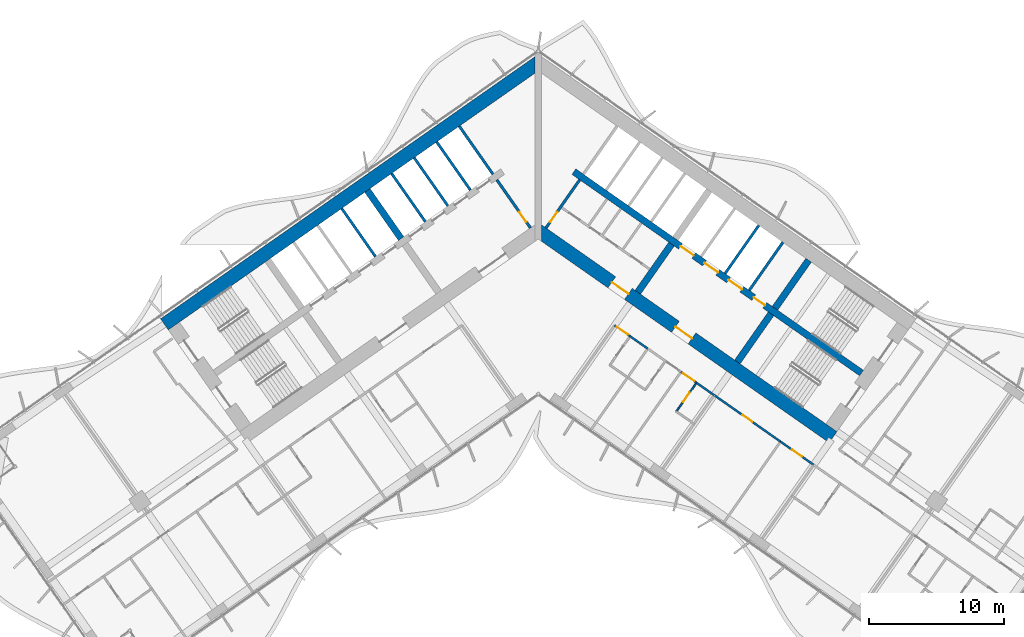
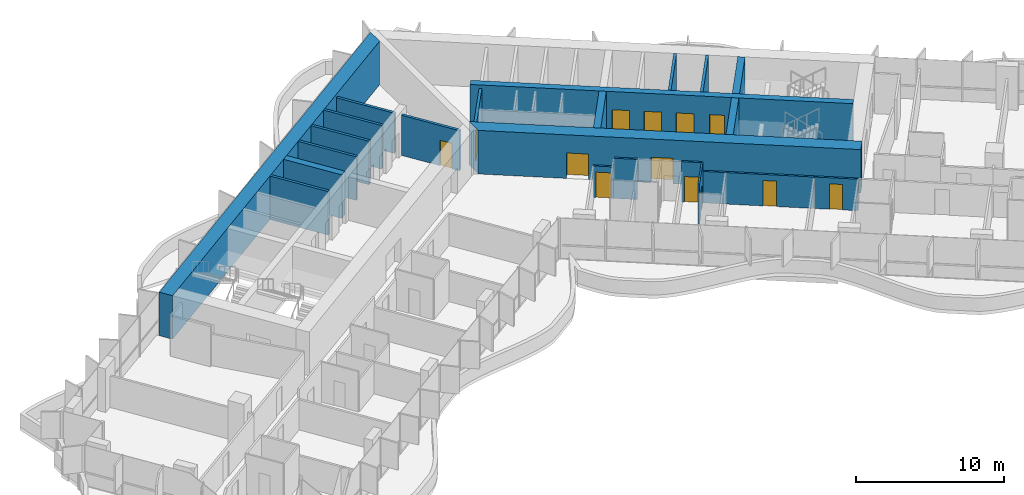
# One storey, part 14 of 23: 23 walls, 13 doors, 13 openings.
"""IFC4 building model written with IfcOpenShell, lengths in metres."""

from ifc_helpers import new_model, si_unit, direction, frame, frame_2d, origin, place, context, subcontext, project, spatial, polyline, rectangle, outline, extrude, material, layer, layer_set, type_object, element, fill, save


model = new_model("IFC4")

# Units and contexts
model_context = context("Model", 3, precision=1e-05, world=origin(), true_north=direction((0.0, 1.0)))
body_context = subcontext(model_context, "Body", "Model", "MODEL_VIEW")
ifc_project = project(units=[si_unit("LENGTHUNIT", "METRE"), si_unit("AREAUNIT", "SQUARE_METRE"), si_unit("VOLUMEUNIT", "CUBIC_METRE"), si_unit("PLANEANGLEUNIT", "RADIAN"), si_unit("MASSUNIT", "GRAM", prefix="KILO")], contexts=[model_context])

# Site, building, storey
site_placement = place(None, origin())
site = spatial("IfcSite", under=ifc_project, at=site_placement, CompositionType="ELEMENT")
building_placement = place(site_placement, origin())
building = spatial("IfcBuilding", under=site, at=building_placement, Name="Tel Ilan Convention Tower", CompositionType="ELEMENT")
storey_placement = place(building_placement, frame((0.0, 0.0, 112.10009765625)))
storey = spatial("IfcBuildingStorey", under=building, at=storey_placement, Name="L24", CompositionType="ELEMENT", Elevation=112.10009765625)

# Wall, opening, door
ifc_material_1 = material(Name="Concrete C30/37", Category="concrete")
ifc_layer_1 = layer(ifc_material_1, 0.199951171875)
ifc_layer_set_1 = layer_set([ifc_layer_1], Name="Core Service Room Wall 200 mm C30/37")
wall_type_1 = type_object("IfcWallType", Name="Core Service Room Wall 200 mm C30/37", PredefinedType="SOLIDWALL", material=ifc_layer_set_1)
wall_1_placement = place(storey_placement, frame((-0.573486328125, -0.401611328125, 0.0), z_axis=(0.0, 0.0, 1.0), x_axis=(-0.57356780395, 0.819158088694, 0.0)))
wall_1 = element("IfcWall", 1, at=wall_1_placement, inside=storey, type_object=wall_type_1, Name="L24 core wall apex-W", PredefinedType="SOLIDWALL", context=body_context, shape_type="SweptSolid", body=[
    extrude(rectangle(XDim=4.35009765625, YDim=0.199951171875, at=frame_2d((2.175048828125, 0.0))), origin(), (0.0, 0.0, 1.0), 3.31982421875),
])
opening_1_placement = place(wall_1_placement, frame((0.550048828125, 0.0, 0.0)))
opening_1 = element("IfcOpeningElement", 2, at=opening_1_placement, cuts=wall_1, Name="Opening CD2002", PredefinedType="OPENING", context=body_context, shape_type="SweptSolid", body=[
    extrude(rectangle(XDim=0.89990234375, YDim=2.10009765625, at=frame_2d((0.449951171875, 1.050048828125))), frame((0.0, 0.10986328125, 0.0), z_axis=(0.0, -1.0, 0.0), x_axis=(1.0, 0.0, 0.0)), (0.0, 0.0, 1.0), 0.219970703125),
])
ifc_material_2 = material(Name="Galvanised Steel Door Leaf", Category="steel")
door_type_1 = type_object("IfcDoorType", Name="Service Room Door 900 x 2100 FD60", OperationType="NOTDEFINED", PredefinedType="DOOR", material=ifc_material_2)
door_1_placement = place(opening_1_placement, origin())
door_1 = element("IfcDoor", 3, at=door_1_placement, inside=storey, type_object=door_type_1, Name="Riser Room door", OperationType="SINGLE_SWING_RIGHT", OverallHeight=2.10009765625, OverallWidth=0.89990234375, PredefinedType="DOOR", context=body_context, shape_type="SweptSolid", body=[
    extrude(rectangle(XDim=0.89990234375, YDim=2.10009765625, at=frame_2d((0.449951171875, 1.050048828125))), frame((0.0, 0.02490234375, 0.0), z_axis=(0.0, -1.0, 0.0), x_axis=(1.0, 0.0, 0.0)), (0.0, 0.0, 1.0), 0.050048828125),
])
fill(opening_1, door_1)

# Wall
wall_2_placement = place(storey_placement, frame((-3.355224609375, 3.5712890625, 0.0), z_axis=(0.0, 0.0, 1.0), x_axis=(-0.57356780395, 0.819158088694, 0.0)))
element("IfcWall", 4, at=wall_2_placement, inside=storey, type_object=wall_type_1, Name="L24 core wall apex-W-b", PredefinedType="SOLIDWALL", context=body_context, shape_type="SweptSolid", body=[
    extrude(rectangle(XDim=4.35009765625, YDim=0.199951171875, at=frame_2d((2.175048828125, 0.0))), origin(), (0.0, 0.0, 1.0), 3.31982421875),
])

# Wall, opening, door
wall_3_placement = place(storey_placement, frame((0.573486328125, -0.401611328125, 0.0), z_axis=(0.0, 0.0, 1.0), x_axis=(0.57356780395, 0.819158088694, 0.0)))
wall_3 = element("IfcWall", 5, at=wall_3_placement, inside=storey, type_object=wall_type_1, Name="L24 core wall apex-E", PredefinedType="SOLIDWALL", context=body_context, shape_type="SweptSolid", body=[
    extrude(rectangle(XDim=4.35009765625, YDim=0.199951171875, at=frame_2d((2.175048828125, 0.0))), origin(), (0.0, 0.0, 1.0), 3.31982421875),
])
opening_2_placement = place(wall_3_placement, frame((0.550048828125, 0.0, 0.0)))
opening_2 = element("IfcOpeningElement", 6, at=opening_2_placement, cuts=wall_3, Name="Opening CD2001", PredefinedType="OPENING", context=body_context, shape_type="SweptSolid", body=[
    extrude(rectangle(XDim=0.89990234375, YDim=2.10009765625, at=frame_2d((0.449951171875, 1.050048828125))), frame((0.0, 0.10986328125, 0.0), z_axis=(0.0, -1.0, 0.0), x_axis=(1.0, 0.0, 0.0)), (0.0, 0.0, 1.0), 0.219970703125),
])
door_2_placement = place(opening_2_placement, origin())
door_2 = element("IfcDoor", 7, at=door_2_placement, inside=storey, type_object=door_type_1, Name="Electrical Room door", OperationType="SINGLE_SWING_RIGHT", OverallHeight=2.10009765625, OverallWidth=0.89990234375, PredefinedType="DOOR", context=body_context, shape_type="SweptSolid", body=[
    extrude(rectangle(XDim=0.89990234375, YDim=2.10009765625, at=frame_2d((0.449951171875, 1.050048828125))), frame((0.0, 0.02490234375, 0.0), z_axis=(0.0, -1.0, 0.0), x_axis=(1.0, 0.0, 0.0)), (0.0, 0.0, 1.0), 0.050048828125),
])
fill(opening_2, door_2)

# Wall
ifc_material_3 = material(Name="Concrete C60/75", Category="concrete")
ifc_layer_2 = layer(ifc_material_3, 1.0)
ifc_layer_set_2 = layer_set([ifc_layer_2], Name="Core Shear Wall 1000 mm C60/75")
wall_type_2 = type_object("IfcWallType", Name="Core Shear Wall 1000 mm C60/75", PredefinedType="SHEAR", material=ifc_layer_set_2)
wall_4_placement = place(storey_placement, frame((0.036865234375, 11.8671875, 0.0), z_axis=(0.0, 0.0, 1.0), x_axis=(-0.819155306259, -0.573571777746, 0.0)))
element("IfcWall", 8, at=wall_4_placement, inside=storey, type_object=wall_type_2, Name="L24 core wall W-back", PredefinedType="SHEAR", context=body_context, shape_type="SweptSolid", body=[
    extrude(outline(polyline([(33.8369140625, 0.5), (0.7001953125, 0.499755859375), (0.0, -0.5), (33.8369140625, -0.5), (33.8369140625, 0.5)])), origin(), (0.0, 0.0, 1.0), 3.599853515625),
])

# Wall, openings, doors
wall_5_placement = place(storey_placement, frame((-0.036865234375, -0.584716796875, 0.0), z_axis=(0.0, 0.0, 1.0), x_axis=(0.819157152511, -0.573569140985, 0.0)))
wall_5 = element("IfcWall", 9, at=wall_5_placement, inside=storey, type_object=wall_type_2, Name="L24 core wall E-front", PredefinedType="SHEAR", context=body_context, shape_type="SweptSolid", body=[
    extrude(outline(polyline([(26.69482421875, 0.499755859375), (0.0, 0.5), (0.7001953125, -0.499755859375), (26.69482421875, -0.500244140625), (26.69482421875, 0.499755859375)])), origin(), (0.0, 0.0, 1.0), 3.599853515625),
])
opening_3_placement = place(wall_5_placement, frame((6.69482421875, 0.0, 0.0)))
opening_3 = element("IfcOpeningElement", 10, at=opening_3_placement, cuts=wall_5, Name="Opening CD2003", PredefinedType="OPENING", context=body_context, shape_type="SweptSolid", body=[
    extrude(rectangle(XDim=1.5, YDim=2.10009765625, at=frame_2d((0.75, 1.050048828125))), frame((0.0, 0.510009765625, 0.0), z_axis=(0.0, -1.0, 0.0), x_axis=(1.0, 0.0, 0.0)), (0.0, 0.0, 1.0), 1.02001953125),
])
opening_4_placement = place(wall_5_placement, frame((12.44482421875, 0.0, 0.0)))
opening_4 = element("IfcOpeningElement", 11, at=opening_4_placement, cuts=wall_5, Name="Opening CD2004", PredefinedType="OPENING", context=body_context, shape_type="SweptSolid", body=[
    extrude(rectangle(XDim=1.5, YDim=2.10009765625, at=frame_2d((0.75, 1.050048828125))), frame((0.0, 0.510009765625, 0.0), z_axis=(0.0, -1.0, 0.0), x_axis=(1.0, 0.0, 0.0)), (0.0, 0.0, 1.0), 1.02001953125),
])
ifc_material_4 = material(Name="Glazed Aluminium Door Leaf", Category="aluminium")
door_type_2 = type_object("IfcDoorType", Name="Lobby Opening Door 1500 x 2100 FD60S", OperationType="NOTDEFINED", PredefinedType="DOOR", material=ifc_material_4)
door_3_placement = place(opening_4_placement, origin())
door_3 = element("IfcDoor", 12, at=door_3_placement, inside=storey, type_object=door_type_2, Name="Firefighting Lobby door", OperationType="DOUBLE_DOOR_SINGLE_SWING", OverallHeight=2.10009765625, OverallWidth=1.5, PredefinedType="DOOR", context=body_context, shape_type="SweptSolid", body=[
    extrude(rectangle(XDim=1.5, YDim=2.10009765625, at=frame_2d((0.75, 1.050048828125))), frame((0.0, 0.02490234375, 0.0), z_axis=(0.0, -1.0, 0.0), x_axis=(1.0, 0.0, 0.0)), (0.0, 0.0, 1.0), 0.050048828125),
])
fill(opening_4, door_3)
ifc_material_5 = material(Name="Laminated Timber Door Leaf", Category="wood")
door_type_3 = type_object("IfcDoorType", Name="Toilet Door 1500 x 2100 FD30S", OperationType="NOTDEFINED", PredefinedType="DOOR", material=ifc_material_5)
door_4_placement = place(opening_3_placement, origin())
door_4 = element("IfcDoor", 13, at=door_4_placement, inside=storey, type_object=door_type_3, Name="WC Lobby door", OperationType="SINGLE_SWING_RIGHT", OverallHeight=2.10009765625, OverallWidth=1.5, PredefinedType="DOOR", context=body_context, shape_type="SweptSolid", body=[
    extrude(rectangle(XDim=1.5, YDim=2.10009765625, at=frame_2d((0.75, 1.050048828125))), frame((0.0, 0.02490234375, 0.0), z_axis=(0.0, -1.0, 0.0), x_axis=(1.0, 0.0, 0.0)), (0.0, 0.0, 1.0), 0.050048828125),
])
fill(opening_3, door_4)

# Walls
ifc_material_6 = material(Name="Concrete C60/75", Category="concrete")
ifc_layer_3 = layer(ifc_material_6, 0.5)
ifc_layer_set_3 = layer_set([ifc_layer_3], Name="Core Shear Wall 500 mm C60/75")
wall_type_3 = type_object("IfcWallType", Name="Core Shear Wall 500 mm C60/75", PredefinedType="SHEAR", material=ifc_layer_set_3)
wall_6_placement = place(storey_placement, frame((-10.154296875, -1.189208984375, 0.0), z_axis=(0.0, 0.0, 1.0), x_axis=(-0.573594173421, 0.819139624372, 0.0)))
element("IfcWall", 14, at=wall_6_placement, inside=storey, type_object=wall_type_3, Name="L24 core wall W-cross1-2", PredefinedType="SHEAR", context=body_context, shape_type="SweptSolid", body=[
    extrude(outline(polyline([(4.349853515625, -0.25), (4.349853515625, 0.25), (-0.000244140625, 0.25), (-0.000244140625, -0.25), (4.349853515625, -0.25)])), origin(), (0.0, 0.0, 1.0), 3.599853515625),
])
wall_7_placement = place(storey_placement, frame((7.372314453125, -5.162109375, 0.0), z_axis=(0.0, 0.0, 1.0), x_axis=(0.573594173421, 0.819139624372, 0.0)))
element("IfcWall", 15, at=wall_7_placement, inside=storey, type_object=wall_type_3, Name="L24 core wall E-cross1-1", PredefinedType="SHEAR", context=body_context, shape_type="SweptSolid", body=[
    extrude(outline(polyline([(0.0, 0.25), (0.0, -0.250244140625), (4.349853515625, -0.25), (4.349853515625, 0.25), (0.0, 0.25)])), origin(), (0.0, 0.0, 1.0), 3.599853515625),
])
wall_8_placement = place(storey_placement, frame((14.74462890625, -10.324462890625, 0.0), z_axis=(0.0, 0.0, 1.0), x_axis=(0.57356780395, 0.819158088694, 0.0)))
element("IfcWall", 16, at=wall_8_placement, inside=storey, type_object=wall_type_3, Name="L24 core wall E-cross2-1", PredefinedType="SHEAR", context=body_context, shape_type="SweptSolid", body=[
    extrude(outline(polyline([(0.0, 0.25), (0.0, -0.25), (4.35009765625, -0.250244140625), (4.35009765625, 0.25), (0.0, 0.25)])), origin(), (0.0, 0.0, 1.0), 3.599853515625),
])
wall_9_placement = place(storey_placement, frame((17.526611328125, -6.3515625, 0.0), z_axis=(0.0, 0.0, 1.0), x_axis=(0.573530143085, 0.819184457233, 0.0)))
element("IfcWall", 17, at=wall_9_placement, inside=storey, type_object=wall_type_3, Name="L24 core wall E-cross2-2", PredefinedType="SHEAR", context=body_context, shape_type="SweptSolid", body=[
    extrude(outline(polyline([(4.35009765625, -0.250244140625), (4.35009765625, 0.249755859375), (0.0, 0.25), (0.0, -0.25), (4.35009765625, -0.250244140625)])), origin(), (0.0, 0.0, 1.0), 3.599853515625),
])

# Wall, openings, doors
wall_10_placement = place(storey_placement, frame((2.638427734375, 3.76806640625, 0.0), z_axis=(0.0, 0.0, 1.0), x_axis=(0.819148977158, -0.573580816643, 0.0)))
wall_10 = element("IfcWall", 18, at=wall_10_placement, inside=storey, type_object=wall_type_3, Name="L24 core wall E-spine", PredefinedType="SHEAR", context=body_context, shape_type="SweptSolid", body=[
    extrude(outline(polyline([(0.0, 0.25), (0.0, -0.25), (26.0, -0.249755859375), (26.0, 0.250244140625), (0.0, 0.25)])), origin(), (0.0, 0.0, 1.0), 3.599853515625),
])
opening_5_placement = place(wall_10_placement, frame((9.637451171875, 0.0, 0.0)))
opening_5 = element("IfcOpeningElement", 19, at=opening_5_placement, cuts=wall_10, Name="Opening LD2001", PredefinedType="OPENING", context=body_context, shape_type="SweptSolid", body=[
    extrude(rectangle(XDim=1.199951171875, YDim=2.10009765625, at=frame_2d((0.60009765625, 1.050048828125))), frame((0.0, 0.260009765625, 0.0), z_axis=(0.0, -1.0, 0.0), x_axis=(1.0, 0.0, 0.0)), (0.0, 0.0, 1.0), 0.52001953125),
])
opening_6_placement = place(wall_10_placement, frame((11.8125, 0.0, 0.0)))
opening_6 = element("IfcOpeningElement", 20, at=opening_6_placement, cuts=wall_10, Name="Opening LD2002", PredefinedType="OPENING", context=body_context, shape_type="SweptSolid", body=[
    extrude(rectangle(XDim=1.199951171875, YDim=2.10009765625, at=frame_2d((0.60009765625, 1.050048828125))), frame((0.0, 0.260009765625, 0.0), z_axis=(0.0, -1.0, 0.0), x_axis=(1.0, 0.0, 0.0)), (0.0, 0.0, 1.0), 0.52001953125),
])
opening_7_placement = place(wall_10_placement, frame((13.987548828125, 0.0, 0.0)))
opening_7 = element("IfcOpeningElement", 21, at=opening_7_placement, cuts=wall_10, Name="Opening LD2003", PredefinedType="OPENING", context=body_context, shape_type="SweptSolid", body=[
    extrude(rectangle(XDim=1.199951171875, YDim=2.10009765625, at=frame_2d((0.60009765625, 1.050048828125))), frame((0.0, 0.260009765625, 0.0), z_axis=(0.0, -1.0, 0.0), x_axis=(1.0, 0.0, 0.0)), (0.0, 0.0, 1.0), 0.52001953125),
])
opening_8_placement = place(wall_10_placement, frame((16.262451171875, 0.0, 0.0)))
opening_8 = element("IfcOpeningElement", 22, at=opening_8_placement, cuts=wall_10, Name="Opening CD2007", PredefinedType="OPENING", context=body_context, shape_type="SweptSolid", body=[
    extrude(rectangle(XDim=1.0, YDim=2.10009765625, at=frame_2d((0.5, 1.050048828125))), frame((0.0, 0.260009765625, 0.0), z_axis=(0.0, -1.0, 0.0), x_axis=(1.0, 0.0, 0.0)), (0.0, 0.0, 1.0), 0.52001953125),
])
ifc_material_7 = material(Name="Stainless Steel Sliding Door Leaf", Category="steel")
door_type_4 = type_object("IfcDoorType", Name="Lift Landing Door 1200 x 2100 FD120", OperationType="NOTDEFINED", PredefinedType="DOOR", material=ifc_material_7)
door_5_placement = place(opening_5_placement, origin())
door_5 = element("IfcDoor", 23, at=door_5_placement, inside=storey, type_object=door_type_4, Name="Lift FL1 landing door", OperationType="SLIDING_TO_LEFT", OverallHeight=2.10009765625, OverallWidth=1.199951171875, PredefinedType="DOOR", context=body_context, shape_type="SweptSolid", body=[
    extrude(rectangle(XDim=1.199951171875, YDim=2.10009765625, at=frame_2d((0.60009765625, 1.050048828125))), frame((0.0, 0.02490234375, 0.0), z_axis=(0.0, -1.0, 0.0), x_axis=(1.0, 0.0, 0.0)), (0.0, 0.0, 1.0), 0.050048828125),
])
fill(opening_5, door_5)
door_6_placement = place(opening_6_placement, origin())
door_6 = element("IfcDoor", 24, at=door_6_placement, inside=storey, type_object=door_type_4, Name="Lift FL2 landing door", OperationType="SLIDING_TO_RIGHT", OverallHeight=2.10009765625, OverallWidth=1.199951171875, PredefinedType="DOOR", context=body_context, shape_type="SweptSolid", body=[
    extrude(rectangle(XDim=1.199951171875, YDim=2.10009765625, at=frame_2d((0.60009765625, 1.050048828125))), frame((0.0, 0.02490234375, 0.0), z_axis=(0.0, -1.0, 0.0), x_axis=(1.0, 0.0, 0.0)), (0.0, 0.0, 1.0), 0.050048828125),
])
fill(opening_6, door_6)
door_7_placement = place(opening_7_placement, origin())
door_7 = element("IfcDoor", 25, at=door_7_placement, inside=storey, type_object=door_type_4, Name="Lift FL3 landing door", OperationType="SLIDING_TO_LEFT", OverallHeight=2.10009765625, OverallWidth=1.199951171875, PredefinedType="DOOR", context=body_context, shape_type="SweptSolid", body=[
    extrude(rectangle(XDim=1.199951171875, YDim=2.10009765625, at=frame_2d((0.60009765625, 1.050048828125))), frame((0.0, 0.02490234375, 0.0), z_axis=(0.0, -1.0, 0.0), x_axis=(1.0, 0.0, 0.0)), (0.0, 0.0, 1.0), 0.050048828125),
])
fill(opening_7, door_7)
ifc_material_8 = material(Name="Galvanised Steel Door Leaf", Category="steel")
door_type_5 = type_object("IfcDoorType", Name="Service Room Door 1000 x 2100 FD60", OperationType="NOTDEFINED", PredefinedType="DOOR", material=ifc_material_8)
door_8_placement = place(opening_8_placement, origin())
door_8 = element("IfcDoor", 26, at=door_8_placement, inside=storey, type_object=door_type_5, Name="Plant Room door", OperationType="SINGLE_SWING_RIGHT", OverallHeight=2.10009765625, OverallWidth=1.0, PredefinedType="DOOR", context=body_context, shape_type="SweptSolid", body=[
    extrude(rectangle(XDim=1.0, YDim=2.10009765625, at=frame_2d((0.5, 1.050048828125))), frame((0.0, 0.02490234375, 0.0), z_axis=(0.0, -1.0, 0.0), x_axis=(1.0, 0.0, 0.0)), (0.0, 0.0, 1.0), 0.050048828125),
])
fill(opening_8, door_8)

# Wall, opening, door
ifc_material_9 = material(Name="Plasterboard on Steel Studs", Category="steel")
ifc_layer_4 = layer(ifc_material_9, 0.14990234375)
ifc_layer_set_4 = layer_set([ifc_layer_4], Name="Fire-rated Partition 150 EI 60")
wall_type_4 = type_object("IfcWallType", Name="Fire-rated Partition 150 EI 60", PredefinedType="PARTITIONING", material=ifc_layer_set_4)
wall_11_placement = place(storey_placement, frame((6.79931640625, -8.423095703125, 0.0), z_axis=(0.0, 0.0, 1.0), x_axis=(-0.819207359301, 0.573497430219, 0.0)))
wall_11 = element("IfcWall", 27, at=wall_11_placement, inside=storey, type_object=wall_type_4, Name="Partition 007", PredefinedType="PARTITIONING", context=body_context, shape_type="SweptSolid", body=[
    extrude(rectangle(XDim=1.40087890625, YDim=0.14990234375, at=frame_2d((0.700439453125, 0.0))), origin(), (0.0, 0.0, 1.0), 2.599853515625),
])
opening_9_placement = place(wall_11_placement, frame((0.200927734375, 0.0, 0.0)))
opening_9 = element("IfcOpeningElement", 28, at=opening_9_placement, cuts=wall_11, Name="Opening L24-014", PredefinedType="OPENING", context=body_context, shape_type="SweptSolid", body=[
    extrude(rectangle(XDim=1.0, YDim=2.10009765625, at=frame_2d((0.5, 1.050048828125))), frame((0.0, 0.0849609375, 0.0), z_axis=(0.0, -1.0, 0.0), x_axis=(1.0, 0.0, 0.0)), (0.0, 0.0, 1.0), 0.169921875),
])
ifc_material_10 = material(Name="Timber Door Leaf in Steel Frame", Category="steel")
door_type_6 = type_object("IfcDoorType", Name="Hotel Room Entrance Fire Door 1000x2100", OperationType="NOTDEFINED", PredefinedType="DOOR", material=ifc_material_10)
door_9_placement = place(opening_9_placement, origin())
door_9 = element("IfcDoor", 29, at=door_9_placement, inside=storey, type_object=door_type_6, Name="Door L24-014", OperationType="SINGLE_SWING_LEFT", OverallHeight=2.10009765625, OverallWidth=1.0, PredefinedType="DOOR", context=body_context, shape_type="SweptSolid", body=[
    extrude(rectangle(XDim=1.0, YDim=2.10009765625, at=frame_2d((0.5, 1.050048828125))), frame((0.0, 0.02490234375, 0.0), z_axis=(0.0, -1.0, 0.0), x_axis=(1.0, 0.0, 0.0)), (0.0, 0.0, 1.0), 0.050048828125),
])
fill(opening_9, door_9)

# Wall
wall_12_placement = place(storey_placement, frame((8.110595703125, -9.341552734375, 0.0), z_axis=(0.0, 0.0, 1.0), x_axis=(-0.8190674132, 0.573697283098, 0.0)))
element("IfcWall", 30, at=wall_12_placement, inside=storey, type_object=wall_type_4, Name="Partition 008", PredefinedType="PARTITIONING", context=body_context, shape_type="SweptSolid", body=[
    extrude(rectangle(XDim=1.60400390625, YDim=0.14990234375, at=frame_2d((0.802001953125, 0.0))), origin(), (0.0, 0.0, 1.0), 3.31982421875),
])

# Wall, opening, door
wall_13_placement = place(storey_placement, frame((11.714111328125, -11.86474609375, 0.0), z_axis=(0.0, 0.0, 1.0), x_axis=(-0.81914197737, 0.573590813132, 0.0)))
wall_13 = element("IfcWall", 31, at=wall_13_placement, inside=storey, type_object=wall_type_4, Name="Partition 011", PredefinedType="PARTITIONING", context=body_context, shape_type="SweptSolid", body=[
    extrude(rectangle(XDim=1.40283203125, YDim=0.14990234375, at=frame_2d((0.701416015625, 0.0))), origin(), (0.0, 0.0, 1.0), 3.31982421875),
])
opening_10_placement = place(wall_13_placement, frame((0.200927734375, 0.0, 0.0)))
opening_10 = element("IfcOpeningElement", 32, at=opening_10_placement, cuts=wall_13, Name="Opening L24-018", PredefinedType="OPENING", context=body_context, shape_type="SweptSolid", body=[
    extrude(rectangle(XDim=1.0, YDim=2.10009765625, at=frame_2d((0.5, 1.050048828125))), frame((0.0, 0.0849609375, 0.0), z_axis=(0.0, -1.0, 0.0), x_axis=(1.0, 0.0, 0.0)), (0.0, 0.0, 1.0), 0.169921875),
])
door_10_placement = place(opening_10_placement, origin())
door_10 = element("IfcDoor", 33, at=door_10_placement, inside=storey, type_object=door_type_6, Name="Door L24-018", OperationType="SINGLE_SWING_LEFT", OverallHeight=2.10009765625, OverallWidth=1.0, PredefinedType="DOOR", context=body_context, shape_type="SweptSolid", body=[
    extrude(rectangle(XDim=1.0, YDim=2.10009765625, at=frame_2d((0.5, 1.050048828125))), frame((0.0, 0.02490234375, 0.0), z_axis=(0.0, -1.0, 0.0), x_axis=(1.0, 0.0, 0.0)), (0.0, 0.0, 1.0), 0.050048828125),
])
fill(opening_10, door_10)

# Wall
wall_14_placement = place(storey_placement, frame((13.025634765625, -12.782958984375, 0.0), z_axis=(0.0, 0.0, 1.0), x_axis=(-0.819189013667, 0.573523634986, 0.0)))
element("IfcWall", 34, at=wall_14_placement, inside=storey, type_object=wall_type_4, Name="Partition 012", PredefinedType="PARTITIONING", context=body_context, shape_type="SweptSolid", body=[
    extrude(rectangle(XDim=1.60400390625, YDim=0.14990234375, at=frame_2d((0.802001953125, 0.0))), origin(), (0.0, 0.0, 1.0), 2.599853515625),
])

# Wall, opening, door
wall_15_placement = place(storey_placement, frame((17.940673828125, -16.224365234375, 0.0), z_axis=(0.0, 0.0, 1.0), x_axis=(-0.819165052243, 0.573557858619, 0.0)))
wall_15 = element("IfcWall", 35, at=wall_15_placement, inside=storey, type_object=wall_type_4, Name="Partition 013", PredefinedType="PARTITIONING", context=body_context, shape_type="SweptSolid", body=[
    extrude(rectangle(XDim=6.00390625, YDim=0.14990234375, at=frame_2d((3.001953125, 0.0))), origin(), (0.0, 0.0, 1.0), 2.599853515625),
])
opening_11_placement = place(wall_15_placement, frame((2.552001953125, 0.0, 0.0)))
opening_11 = element("IfcOpeningElement", 36, at=opening_11_placement, cuts=wall_15, Name="Opening L24-019", PredefinedType="OPENING", context=body_context, shape_type="SweptSolid", body=[
    extrude(rectangle(XDim=0.89990234375, YDim=2.10009765625, at=frame_2d((0.449951171875, 1.050048828125))), frame((0.0, 0.0849609375, 0.0), z_axis=(0.0, -1.0, 0.0), x_axis=(1.0, 0.0, 0.0)), (0.0, 0.0, 1.0), 0.169921875),
])
ifc_material_11 = material(Name="Timber Door Leaf in Steel Frame", Category="steel")
door_type_7 = type_object("IfcDoorType", Name="Room Fire Door 900x2100", OperationType="NOTDEFINED", PredefinedType="DOOR", material=ifc_material_11)
door_11_placement = place(opening_11_placement, origin())
door_11 = element("IfcDoor", 37, at=door_11_placement, inside=storey, type_object=door_type_7, Name="Door L24-019", OperationType="SINGLE_SWING_LEFT", OverallHeight=2.10009765625, OverallWidth=0.89990234375, PredefinedType="DOOR", context=body_context, shape_type="SweptSolid", body=[
    extrude(rectangle(XDim=0.89990234375, YDim=2.10009765625, at=frame_2d((0.449951171875, 1.050048828125))), frame((0.0, 0.02490234375, 0.0), z_axis=(0.0, -1.0, 0.0), x_axis=(1.0, 0.0, 0.0)), (0.0, 0.0, 1.0), 0.050048828125),
])
fill(opening_11, door_11)

wall_16_placement = place(storey_placement, frame((20.39794921875, -17.9453125, 0.0), z_axis=(0.0, 0.0, 1.0), x_axis=(-0.819128818764, 0.573609604409, 0.0)))
wall_16 = element("IfcWall", 38, at=wall_16_placement, inside=storey, type_object=wall_type_4, Name="Partition 014", PredefinedType="PARTITIONING", context=body_context, shape_type="SweptSolid", body=[
    extrude(rectangle(XDim=3.004150390625, YDim=0.14990234375, at=frame_2d((1.501953125, 0.0))), origin(), (0.0, 0.0, 1.0), 2.599853515625),
])
opening_12_placement = place(wall_16_placement, frame((1.052001953125, 0.0, 0.0)))
opening_12 = element("IfcOpeningElement", 39, at=opening_12_placement, cuts=wall_16, Name="Opening L24-020", PredefinedType="OPENING", context=body_context, shape_type="SweptSolid", body=[
    extrude(rectangle(XDim=0.89990234375, YDim=2.10009765625, at=frame_2d((0.449951171875, 1.050048828125))), frame((0.0, 0.0849609375, 0.0), z_axis=(0.0, -1.0, 0.0), x_axis=(1.0, 0.0, 0.0)), (0.0, 0.0, 1.0), 0.169921875),
])
door_12_placement = place(opening_12_placement, origin())
door_12 = element("IfcDoor", 40, at=door_12_placement, inside=storey, type_object=door_type_7, Name="Door L24-020", OperationType="SINGLE_SWING_LEFT", OverallHeight=2.10009765625, OverallWidth=0.89990234375, PredefinedType="DOOR", context=body_context, shape_type="SweptSolid", body=[
    extrude(rectangle(XDim=0.89990234375, YDim=2.10009765625, at=frame_2d((0.449951171875, 1.050048828125))), frame((0.0, 0.02490234375, 0.0), z_axis=(0.0, -1.0, 0.0), x_axis=(1.0, 0.0, 0.0)), (0.0, 0.0, 1.0), 0.050048828125),
])
fill(opening_12, door_12)

# Walls
ifc_material_12 = material(Name="Concrete C30/37", Category="concrete")
ifc_layer_5 = layer(ifc_material_12, 0.199951171875)
ifc_layer_set_5 = layer_set([ifc_layer_5], Name="Lift Shaft Wall 200 mm C30/37")
wall_type_5 = type_object("IfcWallType", Name="Lift Shaft Wall 200 mm C30/37", PredefinedType="SOLIDWALL", material=ifc_layer_set_5)
wall_17_placement = place(storey_placement, frame((-5.0244140625, 2.402587890625, 0.0), z_axis=(0.0, 0.0, 1.0), x_axis=(-0.573530143085, 0.819184457233, 0.0)))
element("IfcWall", 41, at=wall_17_placement, inside=storey, type_object=wall_type_5, Name="L24 core wall bank-W1-p0", PredefinedType="SOLIDWALL", context=body_context, shape_type="SweptSolid", body=[
    extrude(rectangle(XDim=4.35009765625, YDim=0.199951171875, at=frame_2d((2.175048828125, 0.0))), origin(), (0.0, 0.0, 1.0), 3.599853515625),
])
for number, where, z_axis, x_axis, name in (
    (42, (-6.693359375, 1.234130859375, 0.0), (0.0, 0.0, 1.0), (-0.573594173421, 0.819139624372, 0.0), "L24 core wall bank-W1-p1"),
    (43, (-8.3623046875, 0.0654296875, 0.0), (0.0, 0.0, 1.0), (-0.573594173421, 0.819139624372, 0.0), "L24 core wall bank-W1-p2"),
    (44, (-12.05859375, -2.52294921875, 0.0), (0.0, 0.0, 1.0), (-0.573594173421, 0.819139624372, 0.0), "L24 core wall bank-W2-p0"),
):
    element("IfcWall", number, at=place(storey_placement, frame(where, z_axis=z_axis, x_axis=x_axis)), inside=storey, type_object=wall_type_5, Name=name, PredefinedType="SOLIDWALL", context=body_context, shape_type="SweptSolid", body=[
        extrude(rectangle(XDim=4.349853515625, YDim=0.199951171875, at=frame_2d((2.1748046875, 0.0))), origin(), (0.0, 0.0, 1.0), 3.599853515625),
    ])
wall_18_placement = place(storey_placement, frame((13.84033203125, -3.7705078125, 0.0), z_axis=(0.0, 0.0, 1.0), x_axis=(0.57356780395, 0.819158088694, 0.0)))
element("IfcWall", 45, at=wall_18_placement, inside=storey, type_object=wall_type_5, Name="L24 core wall bank-E2-p1", PredefinedType="SOLIDWALL", context=body_context, shape_type="SweptSolid", body=[
    extrude(rectangle(XDim=4.35009765625, YDim=0.199951171875, at=frame_2d((2.175048828125, 0.0))), origin(), (0.0, 0.0, 1.0), 3.599853515625),
])
wall_19_placement = place(storey_placement, frame((15.6220703125, -5.017822265625, 0.0), z_axis=(0.0, 0.0, 1.0), x_axis=(0.573594173421, 0.819139624372, 0.0)))
element("IfcWall", 46, at=wall_19_placement, inside=storey, type_object=wall_type_5, Name="L24 core wall bank-E2-p2", PredefinedType="SOLIDWALL", context=body_context, shape_type="SweptSolid", body=[
    extrude(rectangle(XDim=4.349853515625, YDim=0.199951171875, at=frame_2d((2.1748046875, 0.0))), origin(), (0.0, 0.0, 1.0), 3.599853515625),
])

# Wall, opening, door
ifc_material_13 = material(Name="Plasterboard on Steel Studs", Category="steel")
ifc_layer_6 = layer(ifc_material_13, 0.1201171875)
ifc_layer_set_6 = layer_set([ifc_layer_6], Name="Moisture-resistant Partition 120")
wall_type_6 = type_object("IfcWallType", Name="Moisture-resistant Partition 120", PredefinedType="PARTITIONING", material=ifc_layer_set_6)
wall_20_placement = place(storey_placement, frame((11.71240234375, -11.863525390625, 0.0), z_axis=(0.0, 0.0, 1.0), x_axis=(-0.573537965655, -0.819178980414, 0.0)))
wall_20 = element("IfcWall", 47, at=wall_20_placement, inside=storey, type_object=wall_type_6, Name="Partition 054", PredefinedType="PARTITIONING", context=body_context, shape_type="SweptSolid", body=[
    extrude(rectangle(XDim=2.60009765625, YDim=0.1201171875, at=frame_2d((1.300048828125, 0.0))), origin(), (0.0, 0.0, 1.0), 3.31982421875),
])
opening_13_placement = place(wall_20_placement, frame((0.875, 0.0, 0.0)))
opening_13 = element("IfcOpeningElement", 48, at=opening_13_placement, cuts=wall_20, Name="Opening L24-017", PredefinedType="OPENING", context=body_context, shape_type="SweptSolid", body=[
    extrude(rectangle(XDim=0.85009765625, YDim=2.050048828125, at=frame_2d((0.425048828125, 1.02490234375))), frame((0.0, 0.070068359375, 0.0), z_axis=(0.0, -1.0, 0.0), x_axis=(1.0, 0.0, 0.0)), (0.0, 0.0, 1.0), 0.14013671875),
])
ifc_material_14 = material(Name="Timber Door Leaf in Steel Frame", Category="steel")
door_type_8 = type_object("IfcDoorType", Name="Bathroom Timber Door 850x2050", OperationType="NOTDEFINED", PredefinedType="DOOR", material=ifc_material_14)
door_13_placement = place(opening_13_placement, origin())
door_13 = element("IfcDoor", 49, at=door_13_placement, inside=storey, type_object=door_type_8, Name="Door L24-017", OperationType="SINGLE_SWING_RIGHT", OverallHeight=2.050048828125, OverallWidth=0.85009765625, PredefinedType="DOOR", context=body_context, shape_type="SweptSolid", body=[
    extrude(rectangle(XDim=0.85009765625, YDim=2.050048828125, at=frame_2d((0.425048828125, 1.02490234375))), frame((0.0, 0.02490234375, 0.0), z_axis=(0.0, -1.0, 0.0), x_axis=(1.0, 0.0, 0.0)), (0.0, 0.0, 1.0), 0.050048828125),
])
fill(opening_13, door_13)

save(model, "model.ifc")
